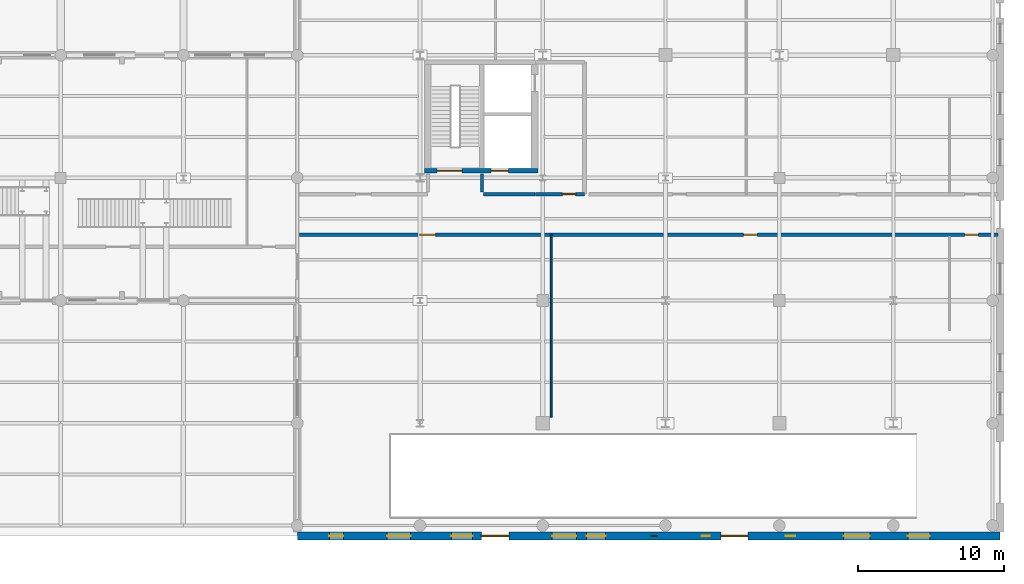
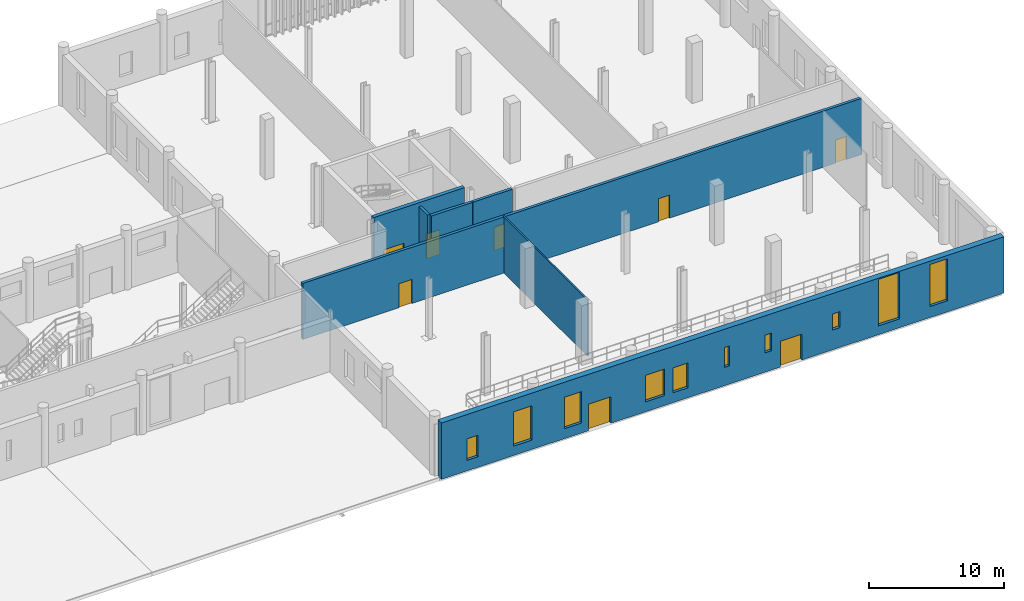
# One storey, part 92 of 112: 10 windows, 8 doors, 7 walls, 18 openings.
"""IFC4 building model written with IfcOpenShell, lengths in metres."""

from ifc_helpers import new_model, si_unit, direction, frame, frame_2d, origin_with_axes, place, context, subcontext, project, spatial, rectangle, extrude, material, layer, layer_set, type_object, element, fill, save


model = new_model("IFC4")

# Units and contexts
model_context = context("Model", 3, precision=1e-05, world=origin_with_axes(), true_north=direction((0.0, 1.0)))
body_context = subcontext(model_context, "Body", "Model", "MODEL_VIEW")
ifc_project = project(units=[si_unit("LENGTHUNIT", "METRE"), si_unit("AREAUNIT", "SQUARE_METRE"), si_unit("VOLUMEUNIT", "CUBIC_METRE"), si_unit("PLANEANGLEUNIT", "RADIAN"), si_unit("MASSUNIT", "GRAM", prefix="KILO"), si_unit("THERMODYNAMICTEMPERATUREUNIT", "KELVIN")], contexts=[model_context])

# Site, building, storey
site_placement = place(None, origin_with_axes())
site = spatial("IfcSite", under=ifc_project, at=site_placement, CompositionType="ELEMENT")
building_placement = place(site_placement, origin_with_axes())
building = spatial("IfcBuilding", under=site, at=building_placement, Name="Montbau Bow Law Courts", CompositionType="ELEMENT")
storey_placement = place(building_placement, origin_with_axes())
storey = spatial("IfcBuildingStorey", under=building, at=storey_placement, Name="L00", CompositionType="ELEMENT", Elevation=0.0)

# Wall, openings, doors
ifc_material_1 = material(Name="Concrete CSA A23.1 f'c 45 MPa", Category="concrete")
ifc_layer_1 = layer(ifc_material_1, 0.32, Name="Shear Wall", Category="concrete")
ifc_layer_set_1 = layer_set([ifc_layer_1], Name="Concrete CSA A23.1 f'c 45 MPa")
wall_type_1 = type_object("IfcWallType", Name="W-COR-05", PredefinedType="SHEAR", material=ifc_layer_set_1)
wall_1_placement = place(None, frame((130.515, 31.08, 0.0), z_axis=(0.0, 0.0, 1.0), x_axis=(1.0, 0.0, 0.0)))
wall_1 = element("IfcWall", 1, at=wall_1_placement, inside=storey, type_object=wall_type_1, Name="WC-L00-0489:wal_0556", PredefinedType="SHEAR", context=body_context, shape_type="SweptSolid", body=[
    extrude(rectangle(XDim=7.77000000000001, YDim=0.32, at=frame_2d((3.885, 0.0), x_axis=(1.0, 0.0))), origin_with_axes(), (0.0, 0.0, 1.0), 5.4),
])
opening_1_placement = place(None, frame((132.225, 31.08, 0.0), z_axis=(0.0, 0.0, 1.0), x_axis=(1.0, 0.0, 0.0)))
opening_1 = element("IfcOpeningElement", 2, at=opening_1_placement, cuts=wall_1, Name="OP-D-L00-ST-C1", PredefinedType="OPENING", context=body_context, shape_type="SweptSolid", body=[
    extrude(rectangle(XDim=1.72, YDim=2.18, at=frame_2d((0.0, 1.09), x_axis=(1.0, 0.0))), frame((0.0, 0.17, 0.0), z_axis=(0.0, -1.0, 0.0), x_axis=(1.0, 0.0, 0.0)), (0.0, 0.0, 1.0), 0.34),
])
opening_2_placement = place(None, frame((135.66, 31.08, 0.0), z_axis=(0.0, 0.0, 1.0), x_axis=(1.0, 0.0, 0.0)))
opening_2 = element("IfcOpeningElement", 3, at=opening_2_placement, cuts=wall_1, Name="OP-LD-L00-EL-C1", PredefinedType="OPENING", context=body_context, shape_type="SweptSolid", body=[
    extrude(rectangle(XDim=1.18, YDim=2.24, at=frame_2d((0.0, 1.12), x_axis=(1.0, 0.0))), frame((0.0, 0.17, 0.0), z_axis=(0.0, -1.0, 0.0), x_axis=(1.0, 0.0, 0.0)), (0.0, 0.0, 1.0), 0.34),
])
ifc_material_2 = material(Name="1.5 h Fire-Rated Double Exit Stair Discharge Door", Category="steel")
door_type_1 = type_object("IfcDoorType", Name="D-ST-02", OperationType="NOTDEFINED", ParameterTakesPrecedence=False, PredefinedType="DOOR", material=ifc_material_2)
door_1_placement = place(None, frame((132.225, 31.08, 0.0), z_axis=(0.0, 0.0, 1.0), x_axis=(-1.0, 0.0, 0.0)))
door_1 = element("IfcDoor", 4, at=door_1_placement, inside=storey, type_object=door_type_1, Name="D-L00-ST-C1:dor_0219", OperationType="DOUBLE_DOOR_SINGLE_SWING", OverallHeight=2.18, OverallWidth=1.72, PredefinedType="DOOR", context=body_context, shape_type="SweptSolid", body=[
    extrude(rectangle(XDim=1.72, YDim=2.18, at=frame_2d((0.0, 1.09), x_axis=(1.0, 0.0))), frame((0.0, 0.04, 0.0), z_axis=(0.0, -1.0, 0.0), x_axis=(1.0, 0.0, 0.0)), (0.0, 0.0, 1.0), 0.08),
])
fill(opening_1, door_1)
ifc_material_3 = material(Name="Heavy-Gauge Security Custody Elevator Landing Door", Category="steel")
door_type_2 = type_object("IfcDoorType", Name="LD-CUS-01", OperationType="NOTDEFINED", ParameterTakesPrecedence=False, PredefinedType="DOOR", material=ifc_material_3)
door_2_placement = place(None, frame((135.66, 31.08, 0.0), z_axis=(0.0, 0.0, 1.0), x_axis=(-1.0, 0.0, 0.0)))
door_2 = element("IfcDoor", 5, at=door_2_placement, inside=storey, type_object=door_type_2, Name="LD-L00-EL-C1:dor_0220", OperationType="SLIDING_TO_LEFT", OverallHeight=2.24, OverallWidth=1.18, PredefinedType="DOOR", context=body_context, shape_type="SweptSolid", body=[
    extrude(rectangle(XDim=1.18, YDim=2.24, at=frame_2d((0.0, 1.12), x_axis=(1.0, 0.0))), frame((0.0, 0.04, 0.0), z_axis=(0.0, -1.0, 0.0), x_axis=(1.0, 0.0, 0.0)), (0.0, 0.0, 1.0), 0.08),
])
fill(opening_2, door_2)

# Wall, openings, doors, windows
ifc_material_4 = material(Name="Canmore Rundlestone Plinth Masonry on Concrete Backing CSA A23.1 f'c 35 MPa", Category="masonry")
ifc_layer_2 = layer(ifc_material_4, 0.52, Name="Solid Wall", Category="masonry")
ifc_layer_set_2 = layer_set([ifc_layer_2], Name="Canmore Rundlestone Plinth Masonry on Concrete Backing CSA A23.1 f'c 35 MPa")
wall_type_2 = type_object("IfcWallType", Name="W-EXT-02", PredefinedType="SOLIDWALL", material=ifc_layer_set_2)
wall_2_placement = place(None, frame((121.8, 6.08, 0.0), z_axis=(0.0, 0.0, 1.0), x_axis=(1.0, 0.0, 0.0)))
wall_2 = element("IfcWall", 6, at=wall_2_placement, inside=storey, type_object=wall_type_2, Name="WE-L00-010:wal_0027", PredefinedType="SOLIDWALL", context=body_context, shape_type="SweptSolid", body=[
    extrude(rectangle(XDim=48.11999999999999, YDim=0.52, at=frame_2d((24.06, 0.0), x_axis=(1.0, 0.0))), origin_with_axes(), (0.0, 0.0, 1.0), 5.1),
])
opening_3_placement = place(None, frame((135.35, 6.08, 0.0), z_axis=(0.0, 0.0, 1.0), x_axis=(1.0, 0.0, 0.0)))
opening_3 = element("IfcOpeningElement", 7, at=opening_3_placement, cuts=wall_2, Name="OP-D-L00-E15", PredefinedType="OPENING", context=body_context, shape_type="SweptSolid", body=[
    extrude(rectangle(XDim=1.9, YDim=2.4, at=frame_2d((0.0, 1.2), x_axis=(1.0, 0.0))), frame((0.0, 0.27, 0.0), z_axis=(0.0, -1.0, 0.0), x_axis=(1.0, 0.0, 0.0)), (0.0, 0.0, 1.0), 0.54),
])
opening_4_placement = place(None, frame((151.72, 6.08, 0.0), z_axis=(0.0, 0.0, 1.0), x_axis=(1.0, 0.0, 0.0)))
opening_4 = element("IfcOpeningElement", 8, at=opening_4_placement, cuts=wall_2, Name="OP-D-L00-E21", PredefinedType="OPENING", context=body_context, shape_type="SweptSolid", body=[
    extrude(rectangle(XDim=1.84, YDim=2.34, at=frame_2d((0.0, 1.17), x_axis=(1.0, 0.0))), frame((0.0, 0.27, 0.0), z_axis=(0.0, -1.0, 0.0), x_axis=(1.0, 0.0, 0.0)), (0.0, 0.0, 1.0), 0.54),
])
opening_5_placement = place(None, frame((124.475, 6.08, 0.95), z_axis=(0.0, 0.0, 1.0), x_axis=(1.0, 0.0, 0.0)))
opening_5 = element("IfcOpeningElement", 9, at=opening_5_placement, cuts=wall_2, Name="OP-WN-L00-056", PredefinedType="OPENING", context=body_context, shape_type="SweptSolid", body=[
    extrude(rectangle(XDim=0.95, YDim=1.95, at=frame_2d((0.0, 0.975), x_axis=(1.0, 0.0))), frame((0.0, 0.27, 0.0), z_axis=(0.0, -1.0, 0.0), x_axis=(1.0, 0.0, 0.0)), (0.0, 0.0, 1.0), 0.54),
])
opening_6_placement = place(None, frame((128.75, 6.08, 0.85), z_axis=(0.0, 0.0, 1.0), x_axis=(1.0, 0.0, 0.0)))
opening_6 = element("IfcOpeningElement", 10, at=opening_6_placement, cuts=wall_2, Name="OP-WN-L00-057", PredefinedType="OPENING", context=body_context, shape_type="SweptSolid", body=[
    extrude(rectangle(XDim=1.6, YDim=3.1, at=frame_2d((0.0, 1.55), x_axis=(1.0, 0.0))), frame((0.0, 0.27, 0.0), z_axis=(0.0, -1.0, 0.0), x_axis=(1.0, 0.0, 0.0)), (0.0, 0.0, 1.0), 0.54),
])
opening_7_placement = place(None, frame((133.075, 6.08, 0.9), z_axis=(0.0, 0.0, 1.0), x_axis=(1.0, 0.0, 0.0)))
opening_7 = element("IfcOpeningElement", 11, at=opening_7_placement, cuts=wall_2, Name="OP-WN-L00-058", PredefinedType="OPENING", context=body_context, shape_type="SweptSolid", body=[
    extrude(rectangle(XDim=1.45, YDim=2.85, at=frame_2d((0.0, 1.425), x_axis=(1.0, 0.0))), frame((0.0, 0.27, 0.0), z_axis=(0.0, -1.0, 0.0), x_axis=(1.0, 0.0, 0.0)), (0.0, 0.0, 1.0), 0.54),
])
opening_8_placement = place(None, frame((140.075, 6.08, 0.9), z_axis=(0.0, 0.0, 1.0), x_axis=(1.0, 0.0, 0.0)))
opening_8 = element("IfcOpeningElement", 12, at=opening_8_placement, cuts=wall_2, Name="OP-WN-L00-059", PredefinedType="OPENING", context=body_context, shape_type="SweptSolid", body=[
    extrude(rectangle(XDim=1.65, YDim=2.4, at=frame_2d((0.0, 1.2), x_axis=(1.0, 0.0))), frame((0.0, 0.27, 0.0), z_axis=(0.0, -1.0, 0.0), x_axis=(1.0, 0.0, 0.0)), (0.0, 0.0, 1.0), 0.54),
])
opening_9_placement = place(None, frame((142.25, 6.08, 0.9), z_axis=(0.0, 0.0, 1.0), x_axis=(1.0, 0.0, 0.0)))
opening_9 = element("IfcOpeningElement", 13, at=opening_9_placement, cuts=wall_2, Name="OP-WN-L00-060", PredefinedType="OPENING", context=body_context, shape_type="SweptSolid", body=[
    extrude(rectangle(XDim=1.3, YDim=2.25, at=frame_2d((0.0, 1.125), x_axis=(1.0, 0.0))), frame((0.0, 0.27, 0.0), z_axis=(0.0, -1.0, 0.0), x_axis=(1.0, 0.0, 0.0)), (0.0, 0.0, 1.0), 0.54),
])
opening_10_placement = place(None, frame((146.225, 6.08, 1.65), z_axis=(0.0, 0.0, 1.0), x_axis=(1.0, 0.0, 0.0)))
opening_10 = element("IfcOpeningElement", 14, at=opening_10_placement, cuts=wall_2, Name="OP-WN-L00-061", PredefinedType="OPENING", context=body_context, shape_type="SweptSolid", body=[
    extrude(rectangle(XDim=0.45, YDim=1.8, at=frame_2d((0.0, 0.9), x_axis=(1.0, 0.0))), frame((0.0, 0.27, 0.0), z_axis=(0.0, -1.0, 0.0), x_axis=(1.0, 0.0, 0.0)), (0.0, 0.0, 1.0), 0.54),
])
opening_11_placement = place(None, frame((149.775, 6.08, 1.75), z_axis=(0.0, 0.0, 1.0), x_axis=(1.0, 0.0, 0.0)))
opening_11 = element("IfcOpeningElement", 15, at=opening_11_placement, cuts=wall_2, Name="OP-WN-L00-062", PredefinedType="OPENING", context=body_context, shape_type="SweptSolid", body=[
    extrude(rectangle(XDim=0.55, YDim=1.6, at=frame_2d((0.0, 0.8), x_axis=(1.0, 0.0))), frame((0.0, 0.27, 0.0), z_axis=(0.0, -1.0, 0.0), x_axis=(1.0, 0.0, 0.0)), (0.0, 0.0, 1.0), 0.54),
])
opening_12_placement = place(None, frame((155.575, 6.08, 1.8), z_axis=(0.0, 0.0, 1.0), x_axis=(1.0, 0.0, 0.0)))
opening_12 = element("IfcOpeningElement", 16, at=opening_12_placement, cuts=wall_2, Name="OP-WN-L00-063", PredefinedType="OPENING", context=body_context, shape_type="SweptSolid", body=[
    extrude(rectangle(XDim=0.65, YDim=1.45, at=frame_2d((0.0, 0.725), x_axis=(1.0, 0.0))), frame((0.0, 0.27, 0.0), z_axis=(0.0, -1.0, 0.0), x_axis=(1.0, 0.0, 0.0)), (0.0, 0.0, 1.0), 0.54),
])
opening_13_placement = place(None, frame((160.1, 6.08, 0.8), z_axis=(0.0, 0.0, 1.0), x_axis=(1.0, 0.0, 0.0)))
opening_13 = element("IfcOpeningElement", 17, at=opening_13_placement, cuts=wall_2, Name="OP-WN-L00-064", PredefinedType="OPENING", context=body_context, shape_type="SweptSolid", body=[
    extrude(rectangle(XDim=1.8, YDim=4.2, at=frame_2d((0.0, 2.1), x_axis=(1.0, 0.0))), frame((0.0, 0.27, 0.0), z_axis=(0.0, -1.0, 0.0), x_axis=(1.0, 0.0, 0.0)), (0.0, 0.0, 1.0), 0.54),
])
opening_14_placement = place(None, frame((164.35, 6.08, 1.0), z_axis=(0.0, 0.0, 1.0), x_axis=(1.0, 0.0, 0.0)))
opening_14 = element("IfcOpeningElement", 18, at=opening_14_placement, cuts=wall_2, Name="OP-WN-L00-065", PredefinedType="OPENING", context=body_context, shape_type="SweptSolid", body=[
    extrude(rectangle(XDim=1.5, YDim=3.8, at=frame_2d((0.0, 1.9), x_axis=(1.0, 0.0))), frame((0.0, 0.27, 0.0), z_axis=(0.0, -1.0, 0.0), x_axis=(1.0, 0.0, 0.0)), (0.0, 0.0, 1.0), 0.54),
])
ifc_material_5 = material(Name="Insulated Hollow-Metal Exit Discharge Door", Category="steel")
door_type_3 = type_object("IfcDoorType", Name="D-EXT-04", OperationType="NOTDEFINED", ParameterTakesPrecedence=False, PredefinedType="DOOR", material=ifc_material_5)
door_3_placement = place(None, frame((135.35, 6.08, 0.0), z_axis=(0.0, 0.0, 1.0), x_axis=(-1.0, 0.0, 0.0)))
door_3 = element("IfcDoor", 19, at=door_3_placement, inside=storey, type_object=door_type_3, Name="D-L00-E15:dor_0019", OperationType="DOUBLE_DOOR_SINGLE_SWING", OverallHeight=2.4, OverallWidth=1.9, PredefinedType="DOOR", context=body_context, shape_type="SweptSolid", body=[
    extrude(rectangle(XDim=1.9, YDim=2.4, at=frame_2d((0.0, 1.2), x_axis=(1.0, 0.0))), frame((0.0, 0.04, 0.0), z_axis=(0.0, -1.0, 0.0), x_axis=(1.0, 0.0, 0.0)), (0.0, 0.0, 1.0), 0.08),
])
fill(opening_3, door_3)
ifc_material_6 = material(Name="Insulated Hollow-Metal Passage Discharge Door", Category="steel")
door_type_4 = type_object("IfcDoorType", Name="D-EXT-05", OperationType="NOTDEFINED", ParameterTakesPrecedence=False, PredefinedType="DOOR", material=ifc_material_6)
door_4_placement = place(None, frame((151.72, 6.08, 0.0), z_axis=(0.0, 0.0, 1.0), x_axis=(-1.0, 0.0, 0.0)))
door_4 = element("IfcDoor", 20, at=door_4_placement, inside=storey, type_object=door_type_4, Name="D-L00-E21:dor_0020", OperationType="DOUBLE_DOOR_SINGLE_SWING", OverallHeight=2.34, OverallWidth=1.84, PredefinedType="DOOR", context=body_context, shape_type="SweptSolid", body=[
    extrude(rectangle(XDim=1.84, YDim=2.34, at=frame_2d((0.0, 1.17), x_axis=(1.0, 0.0))), frame((0.0, 0.04, 0.0), z_axis=(0.0, -1.0, 0.0), x_axis=(1.0, 0.0, 0.0)), (0.0, 0.0, 1.0), 0.08),
])
fill(opening_4, door_4)
ifc_material_7 = material(Name="Triple-Glazed Low-E Argon Insulating Glass Unit", Category="glass")
window_type_1 = type_object("IfcWindowType", Name="WN-APP-01", ParameterTakesPrecedence=False, PartitioningType="SINGLE_PANEL", PredefinedType="WINDOW", material=ifc_material_7)
window_1_placement = place(None, frame((140.075, 6.08, 0.9), z_axis=(0.0, 0.0, 1.0), x_axis=(1.0, 0.0, 0.0)))
window_1 = element("IfcWindow", 21, at=window_1_placement, inside=storey, type_object=window_type_1, Name="WN-L00-059:win_0059", OverallHeight=2.4, OverallWidth=1.65, PartitioningType="SINGLE_PANEL", PredefinedType="WINDOW", context=body_context, shape_type="SweptSolid", body=[
    extrude(rectangle(XDim=1.65, YDim=2.4, at=frame_2d((0.0, 1.2), x_axis=(1.0, 0.0))), frame((0.0, 0.03, 0.0), z_axis=(0.0, -1.0, 0.0), x_axis=(1.0, 0.0, 0.0)), (0.0, 0.0, 1.0), 0.06),
])
fill(opening_8, window_1)
window_type_2 = type_object("IfcWindowType", Name="WN-APP-02", ParameterTakesPrecedence=False, PartitioningType="SINGLE_PANEL", PredefinedType="WINDOW", material=ifc_material_7)
window_2_placement = place(None, frame((142.25, 6.08, 0.9), z_axis=(0.0, 0.0, 1.0), x_axis=(1.0, 0.0, 0.0)))
window_2 = element("IfcWindow", 22, at=window_2_placement, inside=storey, type_object=window_type_2, Name="WN-L00-060:win_0060", OverallHeight=2.25, OverallWidth=1.3, PartitioningType="SINGLE_PANEL", PredefinedType="WINDOW", context=body_context, shape_type="SweptSolid", body=[
    extrude(rectangle(XDim=1.3, YDim=2.25, at=frame_2d((0.0, 1.125), x_axis=(1.0, 0.0))), frame((0.0, 0.03, 0.0), z_axis=(0.0, -1.0, 0.0), x_axis=(1.0, 0.0, 0.0)), (0.0, 0.0, 1.0), 0.06),
])
fill(opening_9, window_2)
window_type_3 = type_object("IfcWindowType", Name="WN-CER-01", ParameterTakesPrecedence=False, PartitioningType="SINGLE_PANEL", PredefinedType="WINDOW", material=ifc_material_7)
window_3_placement = place(None, frame((160.1, 6.08, 0.8), z_axis=(0.0, 0.0, 1.0), x_axis=(1.0, 0.0, 0.0)))
window_3 = element("IfcWindow", 23, at=window_3_placement, inside=storey, type_object=window_type_3, Name="WN-L00-064:win_0064", OverallHeight=4.2, OverallWidth=1.8, PartitioningType="SINGLE_PANEL", PredefinedType="WINDOW", context=body_context, shape_type="SweptSolid", body=[
    extrude(rectangle(XDim=1.8, YDim=4.2, at=frame_2d((0.0, 2.1), x_axis=(1.0, 0.0))), frame((0.0, 0.03, 0.0), z_axis=(0.0, -1.0, 0.0), x_axis=(1.0, 0.0, 0.0)), (0.0, 0.0, 1.0), 0.06),
])
fill(opening_13, window_3)
window_type_4 = type_object("IfcWindowType", Name="WN-CER-02", ParameterTakesPrecedence=False, PartitioningType="SINGLE_PANEL", PredefinedType="WINDOW", material=ifc_material_7)
window_4_placement = place(None, frame((164.35, 6.08, 1.0), z_axis=(0.0, 0.0, 1.0), x_axis=(1.0, 0.0, 0.0)))
window_4 = element("IfcWindow", 24, at=window_4_placement, inside=storey, type_object=window_type_4, Name="WN-L00-065:win_0065", OverallHeight=3.8, OverallWidth=1.5, PartitioningType="SINGLE_PANEL", PredefinedType="WINDOW", context=body_context, shape_type="SweptSolid", body=[
    extrude(rectangle(XDim=1.5, YDim=3.8, at=frame_2d((0.0, 1.9), x_axis=(1.0, 0.0))), frame((0.0, 0.03, 0.0), z_axis=(0.0, -1.0, 0.0), x_axis=(1.0, 0.0, 0.0)), (0.0, 0.0, 1.0), 0.06),
])
fill(opening_14, window_4)
window_type_5 = type_object("IfcWindowType", Name="WN-CHM-04", ParameterTakesPrecedence=False, PartitioningType="SINGLE_PANEL", PredefinedType="WINDOW", material=ifc_material_7)
window_5_placement = place(None, frame((124.475, 6.08, 0.95), z_axis=(0.0, 0.0, 1.0), x_axis=(1.0, 0.0, 0.0)))
window_5 = element("IfcWindow", 25, at=window_5_placement, inside=storey, type_object=window_type_5, Name="WN-L00-056:win_0056", OverallHeight=1.95, OverallWidth=0.95, PartitioningType="SINGLE_PANEL", PredefinedType="WINDOW", context=body_context, shape_type="SweptSolid", body=[
    extrude(rectangle(XDim=0.95, YDim=1.95, at=frame_2d((0.0, 0.975), x_axis=(1.0, 0.0))), frame((0.0, 0.03, 0.0), z_axis=(0.0, -1.0, 0.0), x_axis=(1.0, 0.0, 0.0)), (0.0, 0.0, 1.0), 0.06),
])
fill(opening_5, window_5)
ifc_material_8 = material(Name="Laminated Ballistic-Resistant Triple Security Glazing", Category="glass")
window_type_6 = type_object("IfcWindowType", Name="WN-CUS-01", ParameterTakesPrecedence=False, PartitioningType="SINGLE_PANEL", PredefinedType="WINDOW", material=ifc_material_8)
window_6_placement = place(None, frame((146.225, 6.08, 1.65), z_axis=(0.0, 0.0, 1.0), x_axis=(1.0, 0.0, 0.0)))
window_6 = element("IfcWindow", 26, at=window_6_placement, inside=storey, type_object=window_type_6, Name="WN-L00-061:win_0061", OverallHeight=1.8, OverallWidth=0.45, PartitioningType="SINGLE_PANEL", PredefinedType="WINDOW", context=body_context, shape_type="SweptSolid", body=[
    extrude(rectangle(XDim=0.45, YDim=1.8, at=frame_2d((0.0, 0.9), x_axis=(1.0, 0.0))), frame((0.0, 0.03, 0.0), z_axis=(0.0, -1.0, 0.0), x_axis=(1.0, 0.0, 0.0)), (0.0, 0.0, 1.0), 0.06),
])
fill(opening_10, window_6)
window_type_7 = type_object("IfcWindowType", Name="WN-CUS-02", ParameterTakesPrecedence=False, PartitioningType="SINGLE_PANEL", PredefinedType="WINDOW", material=ifc_material_8)
window_7_placement = place(None, frame((149.775, 6.08, 1.75), z_axis=(0.0, 0.0, 1.0), x_axis=(1.0, 0.0, 0.0)))
window_7 = element("IfcWindow", 27, at=window_7_placement, inside=storey, type_object=window_type_7, Name="WN-L00-062:win_0062", OverallHeight=1.6, OverallWidth=0.55, PartitioningType="SINGLE_PANEL", PredefinedType="WINDOW", context=body_context, shape_type="SweptSolid", body=[
    extrude(rectangle(XDim=0.55, YDim=1.6, at=frame_2d((0.0, 0.8), x_axis=(1.0, 0.0))), frame((0.0, 0.03, 0.0), z_axis=(0.0, -1.0, 0.0), x_axis=(1.0, 0.0, 0.0)), (0.0, 0.0, 1.0), 0.06),
])
fill(opening_11, window_7)
window_type_8 = type_object("IfcWindowType", Name="WN-CUS-03", ParameterTakesPrecedence=False, PartitioningType="SINGLE_PANEL", PredefinedType="WINDOW", material=ifc_material_8)
window_8_placement = place(None, frame((155.575, 6.08, 1.8), z_axis=(0.0, 0.0, 1.0), x_axis=(1.0, 0.0, 0.0)))
window_8 = element("IfcWindow", 28, at=window_8_placement, inside=storey, type_object=window_type_8, Name="WN-L00-063:win_0063", OverallHeight=1.45, OverallWidth=0.65, PartitioningType="SINGLE_PANEL", PredefinedType="WINDOW", context=body_context, shape_type="SweptSolid", body=[
    extrude(rectangle(XDim=0.65, YDim=1.45, at=frame_2d((0.0, 0.725), x_axis=(1.0, 0.0))), frame((0.0, 0.03, 0.0), z_axis=(0.0, -1.0, 0.0), x_axis=(1.0, 0.0, 0.0)), (0.0, 0.0, 1.0), 0.06),
])
fill(opening_12, window_8)
window_type_9 = type_object("IfcWindowType", Name="WN-LIB-01", ParameterTakesPrecedence=False, PartitioningType="SINGLE_PANEL", PredefinedType="WINDOW", material=ifc_material_7)
window_9_placement = place(None, frame((128.75, 6.08, 0.85), z_axis=(0.0, 0.0, 1.0), x_axis=(1.0, 0.0, 0.0)))
window_9 = element("IfcWindow", 29, at=window_9_placement, inside=storey, type_object=window_type_9, Name="WN-L00-057:win_0057", OverallHeight=3.1, OverallWidth=1.6, PartitioningType="SINGLE_PANEL", PredefinedType="WINDOW", context=body_context, shape_type="SweptSolid", body=[
    extrude(rectangle(XDim=1.6, YDim=3.1, at=frame_2d((0.0, 1.55), x_axis=(1.0, 0.0))), frame((0.0, 0.03, 0.0), z_axis=(0.0, -1.0, 0.0), x_axis=(1.0, 0.0, 0.0)), (0.0, 0.0, 1.0), 0.06),
])
fill(opening_6, window_9)
window_type_10 = type_object("IfcWindowType", Name="WN-LIB-02", ParameterTakesPrecedence=False, PartitioningType="SINGLE_PANEL", PredefinedType="WINDOW", material=ifc_material_7)
window_10_placement = place(None, frame((133.075, 6.08, 0.9), z_axis=(0.0, 0.0, 1.0), x_axis=(1.0, 0.0, 0.0)))
window_10 = element("IfcWindow", 30, at=window_10_placement, inside=storey, type_object=window_type_10, Name="WN-L00-058:win_0058", OverallHeight=2.85, OverallWidth=1.45, PartitioningType="SINGLE_PANEL", PredefinedType="WINDOW", context=body_context, shape_type="SweptSolid", body=[
    extrude(rectangle(XDim=1.45, YDim=2.85, at=frame_2d((0.0, 1.425), x_axis=(1.0, 0.0))), frame((0.0, 0.03, 0.0), z_axis=(0.0, -1.0, 0.0), x_axis=(1.0, 0.0, 0.0)), (0.0, 0.0, 1.0), 0.06),
])
fill(opening_7, window_10)

# Wall, opening, door
ifc_material_9 = material(Name="2 h Shaft and Exit-Passage Fire Separation Partition", Category="gypsum")
ifc_layer_3 = layer(ifc_material_9, 0.25, Name="Partition", Category="gypsum")
ifc_layer_set_3 = layer_set([ifc_layer_3], Name="2 h Shaft and Exit-Passage Fire Separation Partition")
wall_type_3 = type_object("IfcWallType", Name="W-PRT-01", PredefinedType="PARTITIONING", material=ifc_layer_set_3)
wall_3_placement = place(None, frame((138.1, 29.49, 0.0), z_axis=(0.0, 0.0, 1.0), x_axis=(1.0, 0.0, 0.0)))
wall_3 = element("IfcWall", 31, at=wall_3_placement, inside=storey, type_object=wall_type_3, Name="WEL-L00-0497:wal_0564", PredefinedType="PARTITIONING", context=body_context, shape_type="SweptSolid", body=[
    extrude(rectangle(XDim=3.3600000000000136, YDim=0.25, at=frame_2d((1.68, 0.0), x_axis=(1.0, 0.0))), origin_with_axes(), (0.0, 0.0, 1.0), 5.08),
])
opening_15_placement = place(None, frame((140.405, 29.49, 0.0), z_axis=(0.0, 0.0, 1.0), x_axis=(1.0, 0.0, 0.0)))
opening_15 = element("IfcOpeningElement", 32, at=opening_15_placement, cuts=wall_3, Name="OP-D-L00-ELB-CORE-CU", PredefinedType="OPENING", context=body_context, shape_type="SweptSolid", body=[
    extrude(rectangle(XDim=0.91, YDim=2.12, at=frame_2d((0.0, 1.06), x_axis=(1.0, 0.0))), frame((0.0, 0.135, 0.0), z_axis=(0.0, -1.0, 0.0), x_axis=(1.0, 0.0, 0.0)), (0.0, 0.0, 1.0), 0.27),
])
ifc_material_10 = material(Name="Public and Judicial Washroom Solid-Core Door", Category="wood")
door_type_5 = type_object("IfcDoorType", Name="D-WC-02", OperationType="NOTDEFINED", ParameterTakesPrecedence=False, PredefinedType="DOOR", material=ifc_material_10)
door_5_placement = place(None, frame((140.405, 29.49, 0.0), z_axis=(0.0, 0.0, 1.0), x_axis=(1.0, 0.0, 0.0)))
door_5 = element("IfcDoor", 33, at=door_5_placement, inside=storey, type_object=door_type_5, Name="D-L00-ELB-CORE-CU:dor_0222", OperationType="SINGLE_SWING_RIGHT", OverallHeight=2.12, OverallWidth=0.91, PredefinedType="DOOR", context=body_context, shape_type="SweptSolid", body=[
    extrude(rectangle(XDim=0.91, YDim=2.12, at=frame_2d((0.0, 1.06), x_axis=(1.0, 0.0))), frame((0.0, 0.04, 0.0), z_axis=(0.0, -1.0, 0.0), x_axis=(1.0, 0.0, 0.0)), (0.0, 0.0, 1.0), 0.08),
])
fill(opening_15, door_5)

# Wall
wall_4_placement = place(None, frame((134.55, 29.49, 0.0), z_axis=(0.0, 0.0, 1.0), x_axis=(1.0, 0.0, 0.0)))
element("IfcWall", 34, at=wall_4_placement, inside=storey, type_object=wall_type_3, Name="WP-L00-0662:wal_0729", PredefinedType="PARTITIONING", context=body_context, shape_type="SweptSolid", body=[
    extrude(rectangle(XDim=3.509999999999991, YDim=0.25, at=frame_2d((1.755, 0.0), x_axis=(1.0, 0.0))), origin_with_axes(), (0.0, 0.0, 1.0), 5.08),
])

# Wall, openings, doors
wall_5_placement = place(None, frame((121.94, 26.71, 0.0), z_axis=(0.0, 0.0, 1.0), x_axis=(1.0, 0.0, 0.0)))
wall_5 = element("IfcWall", 35, at=wall_5_placement, inside=storey, type_object=wall_type_3, Name="WP-L00-0664:wal_0731", PredefinedType="PARTITIONING", context=body_context, shape_type="SweptSolid", body=[
    extrude(rectangle(XDim=47.84, YDim=0.25, at=frame_2d((23.92, 0.0), x_axis=(1.0, 0.0))), origin_with_axes(), (0.0, 0.0, 1.0), 5.08),
])
opening_16_placement = place(None, frame((130.724, 26.71, 0.0), z_axis=(0.0, 0.0, 1.0), x_axis=(1.0, 0.0, 0.0)))
opening_16 = element("IfcOpeningElement", 36, at=opening_16_placement, cuts=wall_5, Name="OP-D-L00-263", PredefinedType="OPENING", context=body_context, shape_type="SweptSolid", body=[
    extrude(rectangle(XDim=1.08, YDim=2.18, at=frame_2d((0.0, 1.09), x_axis=(1.0, 0.0))), frame((0.0, 0.135, 0.0), z_axis=(0.0, -1.0, 0.0), x_axis=(1.0, 0.0, 0.0)), (0.0, 0.0, 1.0), 0.27),
])
opening_17_placement = place(None, frame((152.822, 26.71, 0.0), z_axis=(0.0, 0.0, 1.0), x_axis=(1.0, 0.0, 0.0)))
opening_17 = element("IfcOpeningElement", 37, at=opening_17_placement, cuts=wall_5, Name="OP-D-L00-264", PredefinedType="OPENING", context=body_context, shape_type="SweptSolid", body=[
    extrude(rectangle(XDim=0.93, YDim=2.1, at=frame_2d((0.0, 1.05), x_axis=(1.0, 0.0))), frame((0.0, 0.135, 0.0), z_axis=(0.0, -1.0, 0.0), x_axis=(1.0, 0.0, 0.0)), (0.0, 0.0, 1.0), 0.27),
])
opening_18_placement = place(None, frame((167.958, 26.71, 0.0), z_axis=(0.0, 0.0, 1.0), x_axis=(1.0, 0.0, 0.0)))
opening_18 = element("IfcOpeningElement", 38, at=opening_18_placement, cuts=wall_5, Name="OP-D-L00-265", PredefinedType="OPENING", context=body_context, shape_type="SweptSolid", body=[
    extrude(rectangle(XDim=0.95, YDim=2.1, at=frame_2d((0.0, 1.05), x_axis=(1.0, 0.0))), frame((0.0, 0.135, 0.0), z_axis=(0.0, -1.0, 0.0), x_axis=(1.0, 0.0, 0.0)), (0.0, 0.0, 1.0), 0.27),
])
ifc_material_11 = material(Name="Custody Holding Cell Steel Observation Door", Category="steel")
door_type_6 = type_object("IfcDoorType", Name="D-CEL-01", OperationType="NOTDEFINED", ParameterTakesPrecedence=False, PredefinedType="DOOR", material=ifc_material_11)
door_6_placement = place(None, frame((152.822, 26.71, 0.0), z_axis=(0.0, 0.0, 1.0), x_axis=(1.0, 0.0, 0.0)))
door_6 = element("IfcDoor", 39, at=door_6_placement, inside=storey, type_object=door_type_6, Name="D-L00-264:dor_0299", OperationType="SINGLE_SWING_RIGHT", OverallHeight=2.1, OverallWidth=0.93, PredefinedType="DOOR", context=body_context, shape_type="SweptSolid", body=[
    extrude(rectangle(XDim=0.93, YDim=2.1, at=frame_2d((0.0, 1.05), x_axis=(1.0, 0.0))), frame((0.0, 0.04, 0.0), z_axis=(0.0, -1.0, 0.0), x_axis=(1.0, 0.0, 0.0)), (0.0, 0.0, 1.0), 0.08),
])
fill(opening_17, door_6)
ifc_material_12 = material(Name="Detention-Grade Steel Custody Corridor Interlock Gate", Category="steel")
door_type_7 = type_object("IfcDoorType", Name="D-GAT-02", OperationType="NOTDEFINED", ParameterTakesPrecedence=False, PredefinedType="GATE", material=ifc_material_12)
door_7_placement = place(None, frame((130.724, 26.71, 0.0), z_axis=(0.0, 0.0, 1.0), x_axis=(1.0, 0.0, 0.0)))
door_7 = element("IfcDoor", 40, at=door_7_placement, inside=storey, type_object=door_type_7, Name="D-L00-263:dor_0298", OperationType="SINGLE_SWING_LEFT", OverallHeight=2.18, OverallWidth=1.08, PredefinedType="GATE", context=body_context, shape_type="SweptSolid", body=[
    extrude(rectangle(XDim=1.08, YDim=2.18, at=frame_2d((0.0, 1.09), x_axis=(1.0, 0.0))), frame((0.0, 0.04, 0.0), z_axis=(0.0, -1.0, 0.0), x_axis=(1.0, 0.0, 0.0)), (0.0, 0.0, 1.0), 0.08),
])
fill(opening_16, door_7)
ifc_material_13 = material(Name="CSA B651 Universal Barrier-Free Washroom Door", Category="wood")
door_type_8 = type_object("IfcDoorType", Name="D-WC-01", OperationType="NOTDEFINED", ParameterTakesPrecedence=False, PredefinedType="DOOR", material=ifc_material_13)
door_8_placement = place(None, frame((167.958, 26.71, 0.0), z_axis=(0.0, 0.0, 1.0), x_axis=(1.0, 0.0, 0.0)))
door_8 = element("IfcDoor", 41, at=door_8_placement, inside=storey, type_object=door_type_8, Name="D-L00-265:dor_0300", OperationType="SINGLE_SWING_LEFT", OverallHeight=2.1, OverallWidth=0.95, PredefinedType="DOOR", context=body_context, shape_type="SweptSolid", body=[
    extrude(rectangle(XDim=0.95, YDim=2.1, at=frame_2d((0.0, 1.05), x_axis=(1.0, 0.0))), frame((0.0, 0.04, 0.0), z_axis=(0.0, -1.0, 0.0), x_axis=(1.0, 0.0, 0.0)), (0.0, 0.0, 1.0), 0.08),
])
fill(opening_18, door_8)

# Walls
ifc_material_14 = material(Name="STC-60 High-Acoustic Courtroom Perimeter Partition", Category="gypsum")
ifc_layer_4 = layer(ifc_material_14, 0.22, Name="Partition", Category="gypsum")
ifc_layer_set_4 = layer_set([ifc_layer_4], Name="STC-60 High-Acoustic Courtroom Perimeter Partition")
wall_type_4 = type_object("IfcWallType", Name="W-PRT-02", PredefinedType="PARTITIONING", material=ifc_layer_set_4)
wall_6_placement = place(None, frame((134.45, 29.62, 0.0), z_axis=(0.0, 0.0, 1.0), x_axis=(0.0, 1.0, 0.0)))
element("IfcWall", 42, at=wall_6_placement, inside=storey, type_object=wall_type_4, Name="WCX-L00-0660:wal_0727", PredefinedType="PARTITIONING", context=body_context, shape_type="SweptSolid", body=[
    extrude(rectangle(XDim=1.259999999999998, YDim=0.22, at=frame_2d((0.63, 0.0), x_axis=(1.0, 0.0))), origin_with_axes(), (0.0, 0.0, 1.0), 5.08),
])
ifc_material_15 = material(Name="1 h Interior Demising Acoustic Stud Partition", Category="gypsum")
ifc_layer_5 = layer(ifc_material_15, 0.12, Name="Partition", Category="gypsum")
ifc_layer_set_5 = layer_set([ifc_layer_5], Name="1 h Interior Demising Acoustic Stud Partition")
wall_type_5 = type_object("IfcWallType", Name="W-PRT-07", PredefinedType="PARTITIONING", material=ifc_layer_set_5)
wall_7_placement = place(None, frame((139.185, 14.2, 0.0), z_axis=(0.0, 0.0, 1.0), x_axis=(0.0, 1.0, 0.0)))
element("IfcWall", 43, at=wall_7_placement, inside=storey, type_object=wall_type_5, Name="WD-L00-0669:wal_0736", PredefinedType="PARTITIONING", context=body_context, shape_type="SweptSolid", body=[
    extrude(rectangle(XDim=12.510000000000002, YDim=0.12, at=frame_2d((6.255, 0.0), x_axis=(1.0, 0.0))), origin_with_axes(), (0.0, 0.0, 1.0), 5.08),
])

save(model, "model.ifc")
